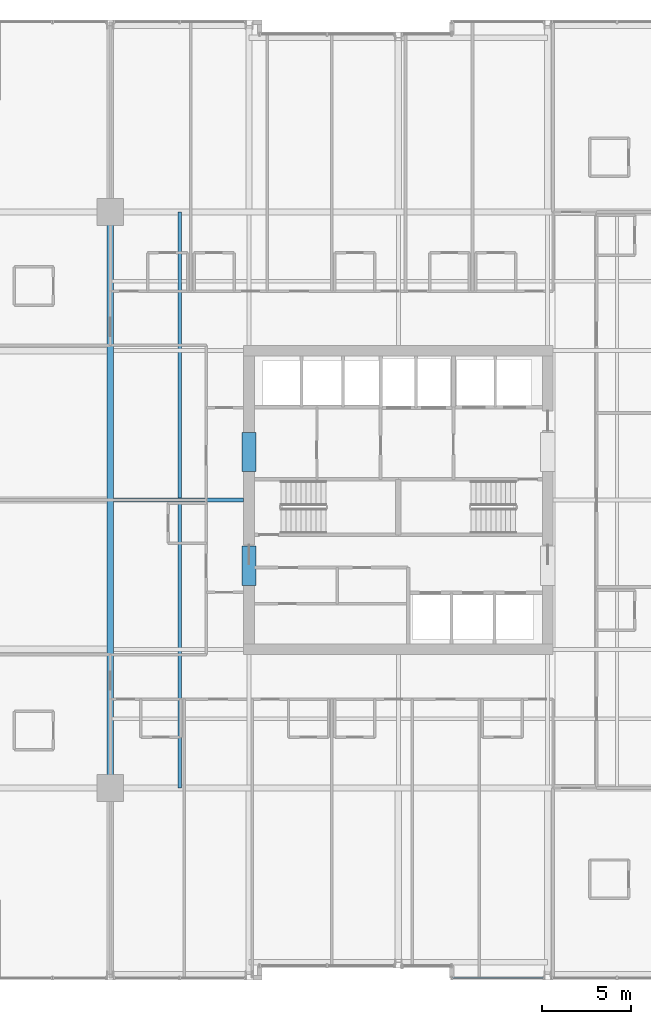
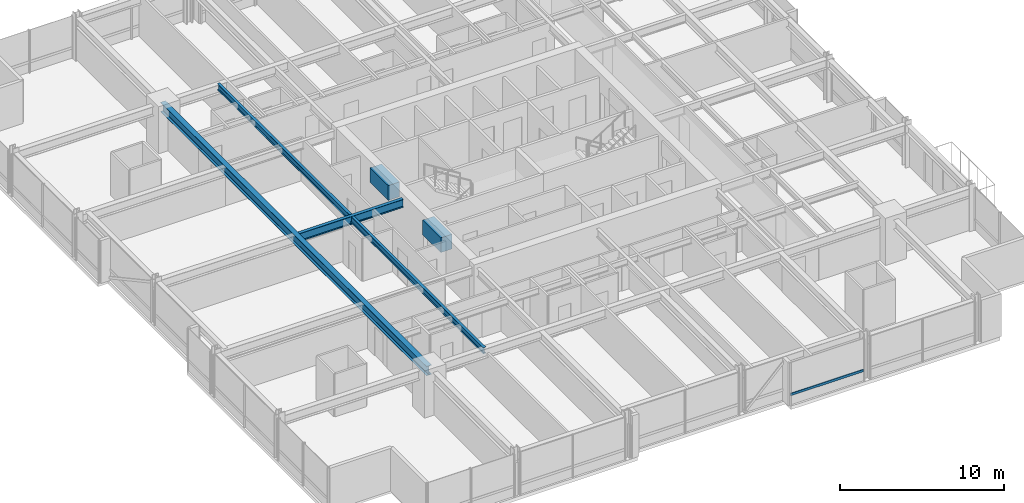
# One storey, part 10 of 35: 5 beams, 1 member, 1 element without a shape of its own.
"""IFC4 building model written with IfcOpenShell, lengths in metres."""

from ifc_helpers import new_model, si_unit, direction, frame, origin, origin_2d, place, context, subcontext, project, spatial, rectangle, hollow_rectangle, i_section, extrude, material, layer, layer_set, material_profile, profile_set, type_object, element, aggregate, save


model = new_model("IFC4")

# Units and contexts
model_context = context("Model", 3, precision=1e-05, world=origin(), true_north=direction((0.0, 1.0)))
body_context = subcontext(model_context, "Body", "Model", "MODEL_VIEW")
ifc_project = project(units=[si_unit("LENGTHUNIT", "METRE"), si_unit("AREAUNIT", "SQUARE_METRE"), si_unit("VOLUMEUNIT", "CUBIC_METRE"), si_unit("PLANEANGLEUNIT", "RADIAN"), si_unit("MASSUNIT", "GRAM", prefix="KILO")], contexts=[model_context])

# Site, building, storey
site_placement = place(None, origin())
site = spatial("IfcSite", under=ifc_project, at=site_placement, CompositionType="ELEMENT")
building_placement = place(site_placement, origin())
building = spatial("IfcBuilding", under=site, at=building_placement, Name="Drelvath Grand Hotel", CompositionType="ELEMENT")
storey_placement = place(building_placement, frame((0.0, 0.0, 137.300048828125)))
storey = spatial("IfcBuildingStorey", under=building, at=storey_placement, Name="L35", CompositionType="ELEMENT", Elevation=137.300048828125)

# Beams
ifc_material_1 = material(Name="Steel ASTM A992 Gr 50", Category="steel")
ifc_material_profile_1 = material_profile(ifc_material_1, i_section(OverallWidth=0.19140625, OverallDepth=0.4599609375, WebThickness=0.010009765625, FlangeThickness=0.01611328125, FilletRadius=0.01611328125, at=origin_2d()), Name="W18X55")
ifc_profile_set_1 = profile_set([ifc_material_profile_1], Name="Steel ASTM A992 Gr 50")
beam_type_1 = type_object("IfcBeamType", Name="Composite Floor Joist W18X55", PredefinedType="JOIST", material=ifc_profile_set_1)
beam_1_placement = place(storey_placement, frame((-12.300048828125, 10.800048828125, 2.949951171875), z_axis=(0.0, 1.0, 0.0), x_axis=(-1.0, 0.0, 0.0)))
element("IfcBeam", 1, at=beam_1_placement, inside=storey, type_object=beam_type_1, Name="L35 Wing Floor Joist J3", PredefinedType="JOIST", context=body_context, shape_type="SweptSolid", body=[
    extrude(i_section(OverallWidth=0.19140625, OverallDepth=0.4599609375, WebThickness=0.010009765625, FlangeThickness=0.01611328125, FilletRadius=0.01611328125, at=origin_2d()), origin(), (0.0, 0.0, 1.0), 32.39990234375),
])
ifc_material_2 = material(Name="Concrete f'c 70 MPa", Category="concrete")
ifc_material_profile_2 = material_profile(ifc_material_2, rectangle(XDim=0.800048828125, YDim=1.10009765625, at=origin_2d()), Name="CB800X1100")
ifc_profile_set_2 = profile_set([ifc_material_profile_2], Name="Concrete f'c 70 MPa")
beam_type_2 = type_object("IfcBeamType", Name="Core Coupling Lintel CB800X1100", PredefinedType="LINTEL", material=ifc_profile_set_2)
for number, where, z_axis, x_axis, name in (
    (2, (-8.39990234375, 22.199951171875, 2.6298828125), (0.0, 1.0, 0.0), (-1.0, 0.0, 0.0), "L35 Core Coupling Lintel WS"),
    (3, (-8.39990234375, 28.60009765625, 2.6298828125), (0.0, 1.0, 0.0), (-1.0, 0.0, 0.0), "L35 Core Coupling Lintel WN"),
):
    element("IfcBeam", number, at=place(storey_placement, frame(where, z_axis=z_axis, x_axis=x_axis)), inside=storey, type_object=beam_type_2, Name=name, PredefinedType="LINTEL", context=body_context, shape_type="SweptSolid", body=[
        extrude(rectangle(XDim=0.800048828125, YDim=1.10009765625, at=origin_2d()), origin(), (0.0, 0.0, 1.0), 2.199951171875),
    ])

# Curtain wall, member
ifc_material_3 = material(Name="Champagne Bronze Anodised Aluminium Frame", Category="aluminium")
ifc_layer = layer(ifc_material_3, 0.199951171875)
ifc_layer_set = layer_set([ifc_layer], Name="Champagne Bronze Anodised Aluminium Frame")
curtain_wall_type = type_object("IfcCurtainWallType", Name="Stick Curtain Wall CW-03 Champagne Bronze Mid-Rise", PredefinedType="NOTDEFINED", material=ifc_layer_set)
curtain_wall_placement = place(storey_placement, origin())
curtain_wall = element("IfcCurtainWall", 4, at=curtain_wall_placement, inside=storey, type_object=curtain_wall_type, Name="L35 CW-03 Curtain Wall CW03-L35-SE1", PredefinedType="NOTDEFINED")
ifc_material_profile_3 = material_profile(ifc_material_3, hollow_rectangle(XDim=0.074951171875, YDim=0.179931640625, WallThickness=0.0048828125, at=origin_2d()), Name="HSS180X75X5")
ifc_profile_set_3 = profile_set([ifc_material_profile_3], Name="Champagne Bronze Anodised Aluminium Frame")
member_type = type_object("IfcMemberType", Name="Curtain Wall Horizontal Transom CW-03 HSS180X75X5", PredefinedType="USERDEFINED", material=ifc_profile_set_3)
member_placement = place(storey_placement, frame((8.150634765625, 0.1201171875, 0.794921875), z_axis=(-1.0, 0.0, 0.0), x_axis=(0.0, -1.0, 0.0)))
member = element("IfcMember", 5, at=member_placement, type_object=member_type, Name="CW03-L35-SE1 Sill Transom", ObjectType="TRANSOM", PredefinedType="USERDEFINED", context=body_context, shape_type="SweptSolid", body=[
    extrude(hollow_rectangle(XDim=0.074951171875, YDim=0.179931640625, WallThickness=0.0048828125, at=origin_2d()), origin(), (0.0, 0.0, 1.0), 5.110595703125),
])
aggregate(curtain_wall, [member])

# Beams
ifc_material_profile_4 = material_profile(ifc_material_1, i_section(OverallWidth=0.228271484375, OverallDepth=0.607666015625, WebThickness=0.01123046875, FlangeThickness=0.017333984375, FilletRadius=0.02001953125, at=origin_2d()), Name="W24X76")
ifc_profile_set_4 = profile_set([ifc_material_profile_4], Name="Steel ASTM A992 Gr 50")
beam_type_3 = type_object("IfcBeamType", Name="Primary Floor Girder W24X76", PredefinedType="BEAM", material=ifc_profile_set_4)
beam_2_placement = place(storey_placement, frame((-16.022705078125, 27.0, 2.876220703125), z_axis=(1.0, 0.0, 0.0), x_axis=(0.0, 1.0, 0.0)))
element("IfcBeam", 6, at=beam_2_placement, inside=storey, type_object=beam_type_3, Name="L35 West Core Tie E", PredefinedType="BEAM", context=body_context, shape_type="SweptSolid", body=[
    extrude(i_section(OverallWidth=0.228271484375, OverallDepth=0.607666015625, WebThickness=0.01123046875, FlangeThickness=0.017333984375, FilletRadius=0.02001953125, at=origin_2d()), origin(), (0.0, 0.0, 1.0), 7.32275390625),
])
ifc_material_profile_5 = material_profile(ifc_material_1, i_section(OverallWidth=0.354736328125, OverallDepth=0.695556640625, WebThickness=0.015380859375, FlangeThickness=0.025146484375, FilletRadius=0.02392578125, at=origin_2d()), Name="W27X146")
ifc_profile_set_5 = profile_set([ifc_material_profile_5], Name="Steel ASTM A992 Gr 50")
beam_type_4 = type_object("IfcBeamType", Name="Primary Floor Girder W27X146", PredefinedType="BEAM", material=ifc_profile_set_5)
beam_3_placement = place(storey_placement, frame((-16.199951171875, 10.800048828125, 2.83203125), z_axis=(0.0, 1.0, 0.0), x_axis=(-1.0, 0.0, 0.0)))
element("IfcBeam", 7, at=beam_3_placement, inside=storey, type_object=beam_type_4, Name="L35 Mega Ring Girder West", PredefinedType="BEAM", context=body_context, shape_type="SweptSolid", body=[
    extrude(i_section(OverallWidth=0.354736328125, OverallDepth=0.695556640625, WebThickness=0.015380859375, FlangeThickness=0.025146484375, FilletRadius=0.02392578125, at=origin_2d()), origin(), (0.0, 0.0, 1.0), 32.39990234375),
])

save(model, "model.ifc")
